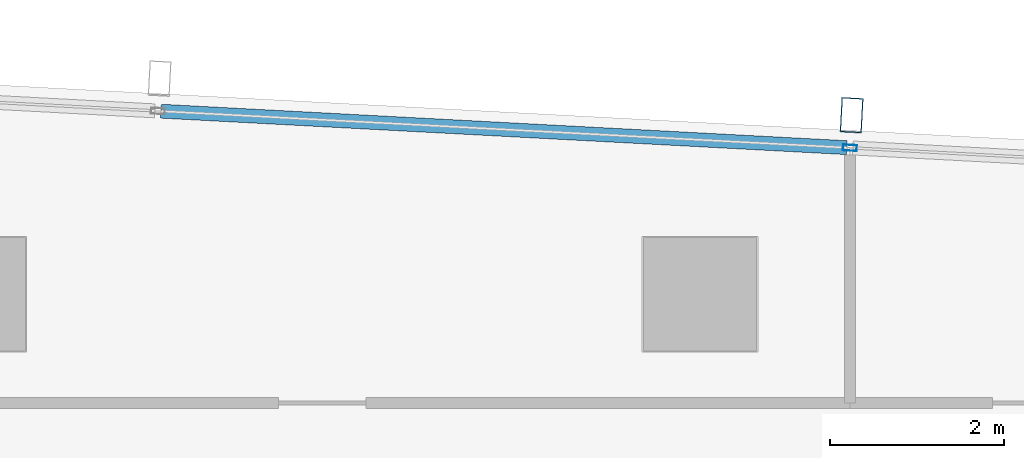
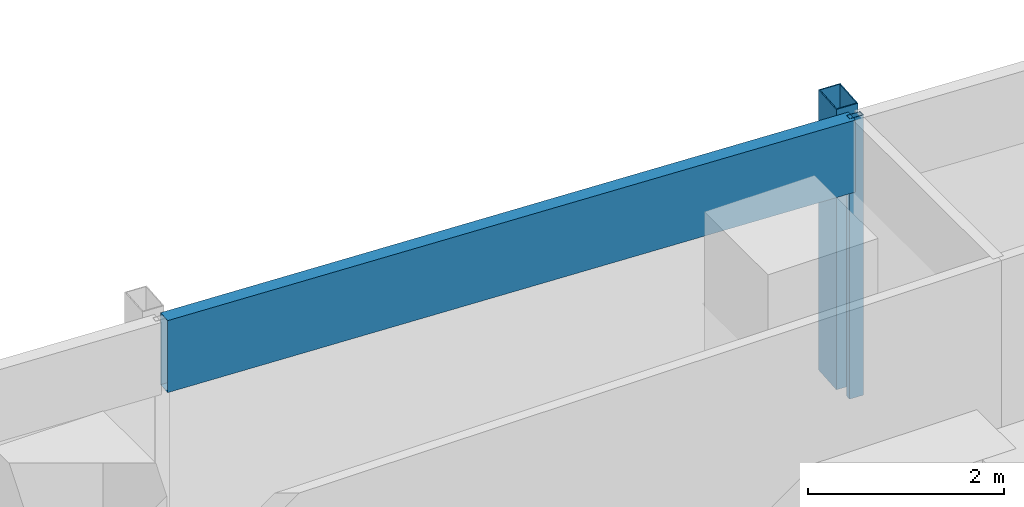
# One storey, part 17 of 28: 3 members, 1 element without a shape of its own.
"""IFC4 building model written with IfcOpenShell, lengths in metres."""

from ifc_helpers import new_model, si_unit, direction, frame, origin, origin_2d, place, context, subcontext, project, spatial, hollow_rectangle, extrude, material, material_profile, profile_set, type_object, element, aggregate, save


model = new_model("IFC4")

# Units and contexts
model_context = context("Model", 3, precision=1e-05, world=origin(), true_north=direction((0.0, 1.0)))
body_context = subcontext(model_context, "Body", "Model", "MODEL_VIEW")
ifc_project = project(units=[si_unit("LENGTHUNIT", "METRE"), si_unit("AREAUNIT", "SQUARE_METRE"), si_unit("VOLUMEUNIT", "CUBIC_METRE"), si_unit("PLANEANGLEUNIT", "RADIAN"), si_unit("MASSUNIT", "GRAM", prefix="KILO")], contexts=[model_context])

# Site, building, storey
site_placement = place(None, origin())
site = spatial("IfcSite", under=ifc_project, at=site_placement, CompositionType="ELEMENT")
building_placement = place(site_placement, origin())
building = spatial("IfcBuilding", under=site, at=building_placement, Name="Rekha Terrace Tower", CompositionType="ELEMENT")
storey_placement = place(building_placement, frame((0.0, 0.0, 268.85009765625)))
storey = spatial("IfcBuildingStorey", under=building, at=storey_placement, Name="L68", CompositionType="ELEMENT", Elevation=268.85009765625)

# Curtain wall, members
ifc_material_1 = material(Name="Aluminium framing", Category="aluminium")
curtain_wall_type = type_object("IfcCurtainWallType", Name="CW3 north unitised glazing", PredefinedType="USERDEFINED", material=ifc_material_1)
curtain_wall_placement = place(storey_placement, origin())
curtain_wall = element("IfcCurtainWall", 1, at=curtain_wall_placement, inside=storey, type_object=curtain_wall_type, Name="CW3 unitised curtain wall", ObjectType="UNITISED CURTAIN WALL", PredefinedType="USERDEFINED")
ifc_material_2 = material(Name="Steel S355 with fluorocarbon finish", Category="steel")
ifc_material_profile_1 = material_profile(ifc_material_2, hollow_rectangle(XDim=0.25, YDim=0.39990234375, WallThickness=0.012451171875, at=origin_2d()), Name="RHS400x250x12.5")
ifc_profile_set_1 = profile_set([ifc_material_profile_1], Name="Steel S355 with fluorocarbon finish")
member_type_1 = type_object("IfcMemberType", Name="BL1 facade blade RHS 400 x 250", PredefinedType="USERDEFINED", material=ifc_profile_set_1)
member_1_placement = place(storey_placement, frame((52.142822265625, 52.456298828125, 0.0), z_axis=(0.0, 0.0, 1.0), x_axis=(-0.998590068481, 0.053083661621, 0.0)))
member_1 = element("IfcMember", 2, at=member_1_placement, type_object=member_type_1, Name="Facade blade", ObjectType="FACADE BLADE", PredefinedType="USERDEFINED", context=body_context, shape_type="SweptSolid", body=[
    extrude(hollow_rectangle(XDim=0.25, YDim=0.39990234375, WallThickness=0.012451171875, at=origin_2d()), origin(), (0.0, 0.0, 1.0), 3.5),
])
ifc_material_3 = material(Name="Aluminium mullion section", Category="aluminium")
ifc_material_profile_2 = material_profile(ifc_material_3, hollow_rectangle(XDim=0.070068359375, YDim=0.159912109375, WallThickness=0.00390625, at=origin_2d()), Name="AL RHS 70x160")
ifc_profile_set_2 = profile_set([ifc_material_profile_2], Name="Aluminium mullion section")
member_type_2 = type_object("IfcMemberType", Name="CW3 mullion RHS 70 x 160", PredefinedType="MULLION", material=ifc_profile_set_2)
member_2_placement = place(storey_placement, frame((52.122802734375, 52.081787109375, 0.0), z_axis=(0.0, 0.0, 1.0), x_axis=(-0.053083275524, -0.998590089005, 0.0)))
member_2 = element("IfcMember", 3, at=member_2_placement, type_object=member_type_2, Name="CW3 mullion 2", PredefinedType="MULLION", context=body_context, shape_type="SweptSolid", body=[
    extrude(hollow_rectangle(XDim=0.070068359375, YDim=0.159912109375, WallThickness=0.00390625, at=origin_2d()), origin(), (0.0, 0.0, 1.0), 3.5),
])
ifc_material_4 = material(Name="Insulated aluminium spandrel box", Category="aluminium")
ifc_material_profile_3 = material_profile(ifc_material_4, hollow_rectangle(XDim=0.159912109375, YDim=0.89990234375, WallThickness=0.0029296875, at=origin_2d()), Name="AL SPANDREL BOX 160x900")
ifc_profile_set_3 = profile_set([ifc_material_profile_3], Name="Insulated aluminium spandrel box")
member_type_3 = type_object("IfcMemberType", Name="CW3 spandrel transom 160 x 900", PredefinedType="USERDEFINED", material=ifc_profile_set_3)
member_3_placement = place(storey_placement, frame((52.087890625, 52.08349609375, 3.0498046875), z_axis=(-0.998589741295, 0.053089816156, 0.0), x_axis=(-0.053089816156, -0.998589741295, 0.0)))
member_3 = element("IfcMember", 4, at=member_3_placement, type_object=member_type_3, Name="CW3 spandrel transom 2", ObjectType="TRANSOM", PredefinedType="USERDEFINED", context=body_context, shape_type="SweptSolid", body=[
    extrude(hollow_rectangle(XDim=0.159912109375, YDim=0.89990234375, WallThickness=0.0029296875, at=origin_2d()), origin(), (0.0, 0.0, 1.0), 7.891357421875),
])
aggregate(curtain_wall, [member_2, member_3, member_1])

save(model, "model.ifc")
